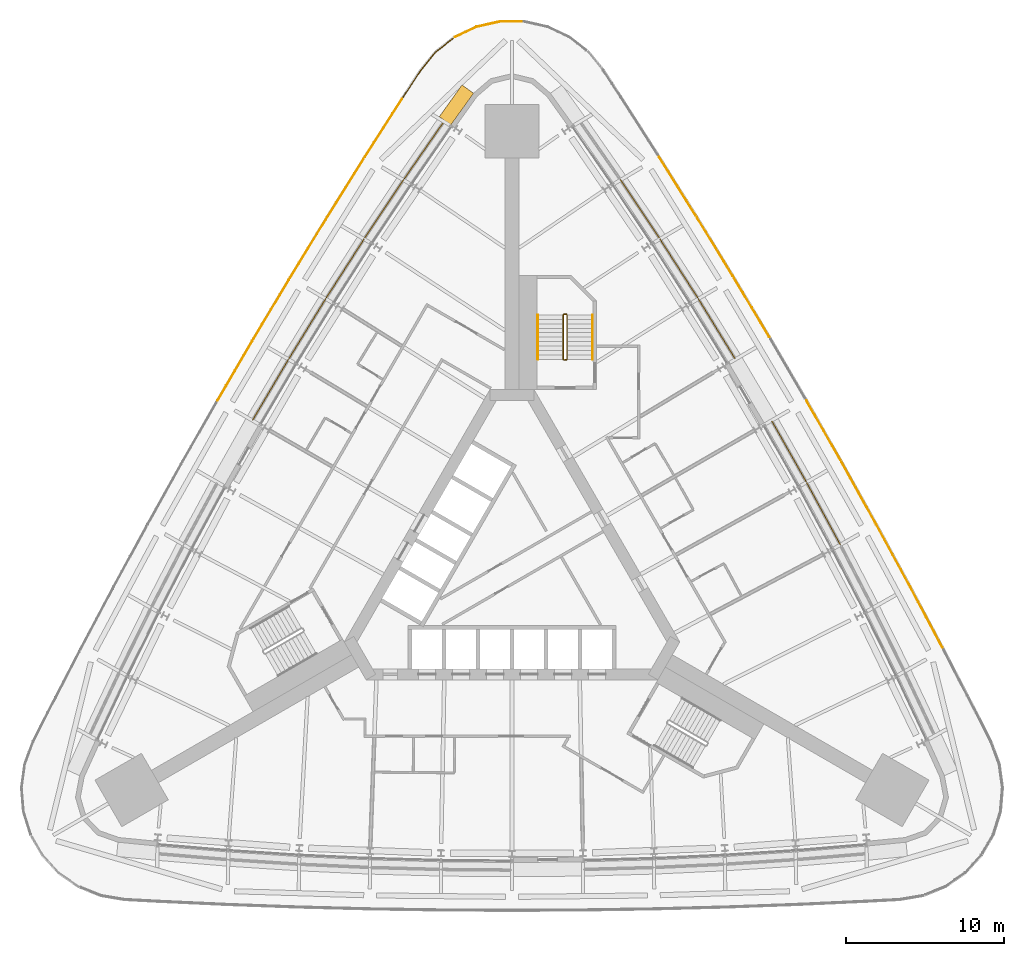
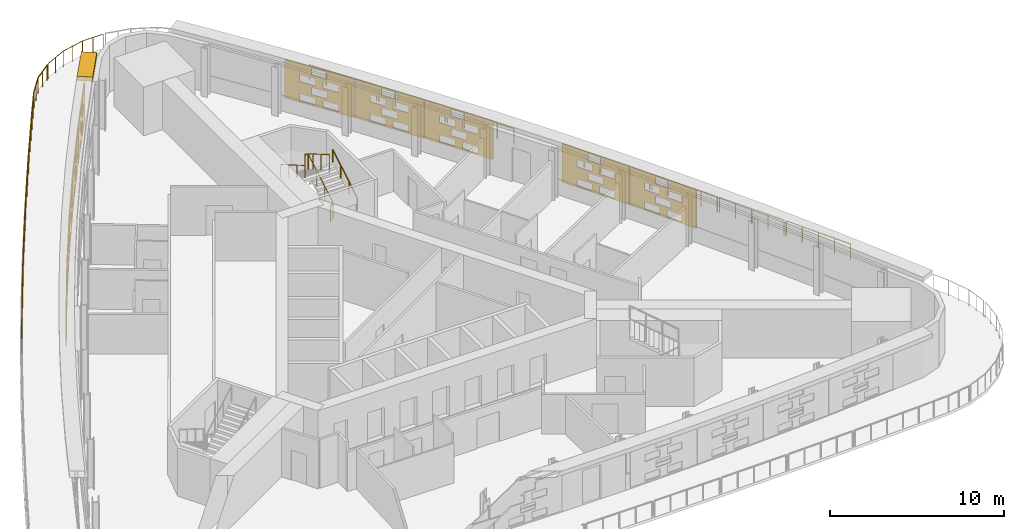
# One storey, part 13 of 14: 17 railings, 11 shading devices.
"""IFC4 building model written with IfcOpenShell, lengths in metres."""

from ifc_helpers import new_model, si_unit, direction, frame, origin, origin_2d, place, context, subcontext, project, spatial, polyline, circle, outline, extrude, material, material_profile, profile_set, type_object, element, save


model = new_model("IFC4")

# Units and contexts
model_context = context("Model", 3, precision=1e-05, world=origin(), true_north=direction((0.0, 1.0)))
body_context = subcontext(model_context, "Body", "Model", "MODEL_VIEW")
ifc_project = project(units=[si_unit("LENGTHUNIT", "METRE"), si_unit("AREAUNIT", "SQUARE_METRE"), si_unit("VOLUMEUNIT", "CUBIC_METRE"), si_unit("PLANEANGLEUNIT", "RADIAN"), si_unit("MASSUNIT", "GRAM", prefix="KILO")], contexts=[model_context])

# Site, building, storey
site_placement = place(None, origin())
site = spatial("IfcSite", under=ifc_project, at=site_placement, CompositionType="ELEMENT")
building_placement = place(site_placement, origin())
building = spatial("IfcBuilding", under=site, at=building_placement, Name="Noor Cloister Tower", CompositionType="ELEMENT")
storey_placement = place(building_placement, frame((0.0, 0.0, 24.0)))
storey = spatial("IfcBuildingStorey", under=building, at=storey_placement, Name="L05", CompositionType="ELEMENT", Elevation=24.0)

# Shading devices
ifc_material_1 = material(Name="Limestone", Category="masonry")
ifc_material_profile = material_profile(ifc_material_1, outline(polyline([(-2.22998046875, -1.35009765625), (2.22998046875, -1.35009765625), (2.22998046875, 1.35009765625), (-2.22998046875, 1.35009765625), (-2.22998046875, -1.35009765625)]), holes=[polyline([(-1.25, -1.263427734375), (-0.25, -1.263427734375), (-0.25, -0.76171875), (-1.25, -0.76171875), (-1.25, -1.263427734375)]), polyline([(0.25, -1.263427734375), (1.25, -1.263427734375), (1.25, -0.76171875), (0.25, -0.76171875), (0.25, -1.263427734375)]), polyline([(-0.5, -0.58837890625), (0.5, -0.58837890625), (0.5, -0.086669921875), (-0.5, -0.086669921875), (-0.5, -0.58837890625)]), polyline([(-1.25, 0.086669921875), (-0.25, 0.086669921875), (-0.25, 0.58837890625), (-1.25, 0.58837890625), (-1.25, 0.086669921875)]), polyline([(0.25, 0.086669921875), (1.25, 0.086669921875), (1.25, 0.58837890625), (0.25, 0.58837890625), (0.25, 0.086669921875)]), polyline([(-0.5, 0.76171875), (0.5, 0.76171875), (0.5, 1.263427734375), (-0.5, 1.263427734375), (-0.5, 0.76171875)])]), Name="Woven screen 25 percent open")
ifc_profile_set = profile_set([ifc_material_profile], Name="Limestone")
shading_device_type_1 = type_object("IfcShadingDeviceType", Name="SCREEN woven limestone 25 percent open", PredefinedType="USERDEFINED", material=ifc_profile_set)
shading_device_1_placement = place(storey_placement, frame((-5.52294921875, 26.586669921875, 1.85009765625), z_axis=(-0.821899128607, 0.56963305943, 0.0), x_axis=(-0.56963305943, -0.821899128607, 0.0)))
element("IfcShadingDevice", 1, at=shading_device_1_placement, inside=storey, type_object=shading_device_type_1, Name="SCREEN L05 1", ObjectType="SCREEN", PredefinedType="USERDEFINED", context=body_context, shape_type="SweptSolid", body=[
    extrude(outline(polyline([(-2.22998046875, -1.35009765625), (2.22998046875, -1.35009765625), (2.22998046875, 1.35009765625), (-2.22998046875, 1.35009765625), (-2.22998046875, -1.35009765625)]), holes=[polyline([(-1.25, -1.263427734375), (-0.25, -1.263427734375), (-0.25, -0.76171875), (-1.25, -0.76171875), (-1.25, -1.263427734375)]), polyline([(0.25, -1.263427734375), (1.25, -1.263427734375), (1.25, -0.76171875), (0.25, -0.76171875), (0.25, -1.263427734375)]), polyline([(-0.5, -0.58837890625), (0.5, -0.58837890625), (0.5, -0.086669921875), (-0.5, -0.086669921875), (-0.5, -0.58837890625)]), polyline([(-1.25, 0.086669921875), (-0.25, 0.086669921875), (-0.25, 0.58837890625), (-1.25, 0.58837890625), (-1.25, 0.086669921875)]), polyline([(0.25, 0.086669921875), (1.25, 0.086669921875), (1.25, 0.58837890625), (0.25, 0.58837890625), (0.25, 0.086669921875)]), polyline([(-0.5, 0.76171875), (0.5, 0.76171875), (0.5, 1.263427734375), (-0.5, 1.263427734375), (-0.5, 0.76171875)])]), origin(), (0.0, 0.0, 1.0), 0.06005859375),
])
shading_device_2_placement = place(storey_placement, frame((-8.060302734375, 22.8603515625, 1.85009765625), z_axis=(-0.832050294338, 0.554700196225, 0.0), x_axis=(-0.554700196225, -0.832050294338, 0.0)))
element("IfcShadingDevice", 2, at=shading_device_2_placement, inside=storey, type_object=shading_device_type_1, Name="SCREEN L05 2", ObjectType="SCREEN", PredefinedType="USERDEFINED", context=body_context, shape_type="SweptSolid", body=[
    extrude(outline(polyline([(-2.22998046875, -1.35009765625), (2.22998046875, -1.35009765625), (2.22998046875, 1.35009765625), (-2.22998046875, 1.35009765625), (-2.22998046875, -1.35009765625)]), holes=[polyline([(-1.25, -1.263427734375), (-0.25, -1.263427734375), (-0.25, -0.76171875), (-1.25, -0.76171875), (-1.25, -1.263427734375)]), polyline([(0.25, -1.263427734375), (1.25, -1.263427734375), (1.25, -0.76171875), (0.25, -0.76171875), (0.25, -1.263427734375)]), polyline([(-0.5, -0.58837890625), (0.5, -0.58837890625), (0.5, -0.086669921875), (-0.5, -0.086669921875), (-0.5, -0.58837890625)]), polyline([(-1.25, 0.086669921875), (-0.25, 0.086669921875), (-0.25, 0.58837890625), (-1.25, 0.58837890625), (-1.25, 0.086669921875)]), polyline([(0.25, 0.086669921875), (1.25, 0.086669921875), (1.25, 0.58837890625), (0.25, 0.58837890625), (0.25, 0.086669921875)]), polyline([(-0.5, 0.76171875), (0.5, 0.76171875), (0.5, 1.263427734375), (-0.5, 1.263427734375), (-0.5, 0.76171875)])]), origin(), (0.0, 0.0, 1.0), 0.059814453125),
])
for number, where, z_axis, x_axis, name in (
    (3, (-10.528076171875, 19.087646484375, 1.85009765625), (-0.841310503427, 0.540552159207, 0.0), (-0.540552159207, -0.841310503427, 0.0), "SCREEN L05 3"),
    (4, (-12.92529296875, 15.269775390625, 1.85009765625), (-0.852075986308, 0.523418105875, 0.0), (-0.523418105875, -0.852075986308, 0.0), "SCREEN L05 4"),
    (5, (-15.25146484375, 11.408203125, 1.85009765625), (-0.86141148773, 0.507907716822, 0.0), (-0.507907716822, -0.86141148773, 0.0), "SCREEN L05 5"),
    (6, (19.686767578125, 3.558837890625, 1.85009765625), (0.879291966537, 0.476283148541, 0.0), (-0.476283148541, 0.879291966537, 0.0), "SCREEN L05 4"),
    (7, (17.505615234375, 7.504150390625, 1.85009765625), (0.87048706901, 0.492191286683, 0.0), (-0.492191286683, 0.87048706901, 0.0), "SCREEN L05 5"),
    (8, (12.92529296875, 15.269775390625, 1.85009765625), (0.852075986308, 0.523418105875, 0.0), (-0.523418105875, 0.852075986308, 0.0), "SCREEN L05 1"),
    (9, (10.528076171875, 19.087646484375, 1.85009765625), (0.841310503427, 0.540552159207, 0.0), (-0.540552159207, 0.841310503427, 0.0), "SCREEN L05 2"),
):
    element("IfcShadingDevice", number, at=place(storey_placement, frame(where, z_axis=z_axis, x_axis=x_axis)), inside=storey, type_object=shading_device_type_1, Name=name, ObjectType="SCREEN", PredefinedType="USERDEFINED", context=body_context, shape_type="SweptSolid", body=[
        extrude(outline(polyline([(-2.22998046875, -1.35009765625), (2.22998046875, -1.35009765625), (2.22998046875, 1.35009765625), (-2.22998046875, 1.35009765625), (-2.22998046875, -1.35009765625)]), holes=[polyline([(-1.25, -1.263427734375), (-0.25, -1.263427734375), (-0.25, -0.76171875), (-1.25, -0.76171875), (-1.25, -1.263427734375)]), polyline([(0.25, -1.263427734375), (1.25, -1.263427734375), (1.25, -0.76171875), (0.25, -0.76171875), (0.25, -1.263427734375)]), polyline([(-0.5, -0.58837890625), (0.5, -0.58837890625), (0.5, -0.086669921875), (-0.5, -0.086669921875), (-0.5, -0.58837890625)]), polyline([(-1.25, 0.086669921875), (-0.25, 0.086669921875), (-0.25, 0.58837890625), (-1.25, 0.58837890625), (-1.25, 0.086669921875)]), polyline([(0.25, 0.086669921875), (1.25, 0.086669921875), (1.25, 0.58837890625), (0.25, 0.58837890625), (0.25, 0.086669921875)]), polyline([(-0.5, 0.76171875), (0.5, 0.76171875), (0.5, 1.263427734375), (-0.5, 1.263427734375), (-0.5, 0.76171875)])]), origin(), (0.0, 0.0, 1.0), 0.06005859375),
    ])
shading_device_3_placement = place(storey_placement, frame((8.060302734375, 22.8603515625, 1.85009765625), z_axis=(0.832050294338, 0.554700196225, 0.0), x_axis=(-0.554700196225, 0.832050294338, 0.0)))
element("IfcShadingDevice", 10, at=shading_device_3_placement, inside=storey, type_object=shading_device_type_1, Name="SCREEN L05 3", ObjectType="SCREEN", PredefinedType="USERDEFINED", context=body_context, shape_type="SweptSolid", body=[
    extrude(outline(polyline([(-2.22998046875, -1.35009765625), (2.22998046875, -1.35009765625), (2.22998046875, 1.35009765625), (-2.22998046875, 1.35009765625), (-2.22998046875, -1.35009765625)]), holes=[polyline([(-1.25, -1.263427734375), (-0.25, -1.263427734375), (-0.25, -0.76171875), (-1.25, -0.76171875), (-1.25, -1.263427734375)]), polyline([(0.25, -1.263427734375), (1.25, -1.263427734375), (1.25, -0.76171875), (0.25, -0.76171875), (0.25, -1.263427734375)]), polyline([(-0.5, -0.58837890625), (0.5, -0.58837890625), (0.5, -0.086669921875), (-0.5, -0.086669921875), (-0.5, -0.58837890625)]), polyline([(-1.25, 0.086669921875), (-0.25, 0.086669921875), (-0.25, 0.58837890625), (-1.25, 0.58837890625), (-1.25, 0.086669921875)]), polyline([(0.25, 0.086669921875), (1.25, 0.086669921875), (1.25, 0.58837890625), (0.25, 0.58837890625), (0.25, 0.086669921875)]), polyline([(-0.5, 0.76171875), (0.5, 0.76171875), (0.5, 1.263427734375), (-0.5, 1.263427734375), (-0.5, 0.76171875)])]), origin(), (0.0, 0.0, 1.0), 0.059814453125),
])
ifc_material_2 = material(Name="Limestone", Category="masonry")
shading_device_type_2 = type_object("IfcShadingDeviceType", Name="SUNSHADE limestone band 900", PredefinedType="USERDEFINED", material=ifc_material_2)
shading_device_4_placement = place(storey_placement, frame((0.0, 0.0, 3.300048828125)))
element("IfcShadingDevice", 11, at=shading_device_4_placement, inside=storey, type_object=shading_device_type_2, Name="SUNSHADE L05 4", ObjectType="SUNSHADE", PredefinedType="USERDEFINED", context=body_context, shape_type="SweptSolid", body=[
    extrude(outline(polyline([(-3.161865234375, 30.712158203125), (-4.6015625, 28.70166015625), (-3.869873046875, 28.177734375), (-2.43017578125, 30.188232421875), (-3.161865234375, 30.712158203125)])), origin(), (0.0, 0.0, 1.0), 0.300048828125),
])

# Railings
ifc_material_3 = material(Name="Stainless steel", Category="steel")
railing_type_1 = type_object("IfcRailingType", Name="Stair guard 1100", PredefinedType="GUARDRAIL", material=ifc_material_3)
railing_1_placement = place(storey_placement, frame((3.435546875, 13.306396484375, 0.0)))
element("IfcRailing", 12, at=railing_1_placement, inside=storey, type_object=railing_type_1, Name="Stair guard ST1 L05", PredefinedType="GUARDRAIL", context=body_context, shape_type="SweptSolid", body=[
    extrude(circle(Radius=0.02392578125, at=origin_2d()), frame((0.0, 0.0, 1.076171875), z_axis=(-1.0, 0.0, 0.0), x_axis=(0.0, -1.0, 0.0)), (0.0, 0.0, 1.0), 0.14990234375),
    extrude(circle(Radius=0.02392578125, at=origin_2d()), frame((-0.14990234375, 0.0, 1.076171875), z_axis=(0.759870394187, 0.190199549216, 0.621627795), x_axis=(-0.242814311512, 0.970072785993, 0.0)), (0.0, 0.0, 1.0), 0.26318359375),
    extrude(circle(Radius=0.02392578125, at=origin_2d()), frame((0.050048828125, 0.050048828125, 1.23974609375), z_axis=(0.0, 0.863360870873, 0.504586966384), x_axis=(-1.0, 0.0, 0.0)), (0.0, 0.0, 1.0), 3.2431640625),
    extrude(circle(Radius=0.02392578125, at=origin_2d()), frame((0.050048828125, 2.85009765625, 2.8759765625), z_axis=(-0.708833529934, 0.705375805398, 0.0), x_axis=(-0.705375805398, -0.708833529934, 0.0)), (0.0, 0.0, 1.0), 0.070556640625),
    extrude(circle(Radius=0.02392578125, at=origin_2d()), frame((0.0, 2.89990234375, 2.8759765625), z_axis=(-1.0, 0.0, 0.0), x_axis=(0.0, -1.0, 0.0)), (0.0, 0.0, 1.0), 0.14990234375),
    extrude(circle(Radius=0.02392578125, at=origin_2d()), frame((-0.14990234375, 2.89990234375, 2.8759765625), z_axis=(-0.280916556609, -0.279546231943, 0.91811752648), x_axis=(0.705375805398, -0.708833529934, 0.0)), (0.0, 0.0, 1.0), 0.17822265625),
    extrude(circle(Radius=0.02392578125, at=origin_2d()), frame((-0.199951171875, 2.85009765625, 3.03955078125), z_axis=(0.0, -0.863360870873, 0.504586966384), x_axis=(1.0, 0.0, 0.0)), (0.0, 0.0, 1.0), 3.2431640625),
    extrude(circle(Radius=0.02099609375, at=origin_2d()), origin(), (0.0, 0.0, 1.0), 1.052001953125),
    extrude(circle(Radius=0.02099609375, at=origin_2d()), frame((-0.14990234375, 0.0, 0.0)), (0.0, 0.0, 1.0), 1.052001953125),
    extrude(circle(Radius=0.02099609375, at=origin_2d()), frame((0.050048828125, 0.050048828125, 0.16357421875)), (0.0, 0.0, 1.0), 1.052001953125),
    extrude(circle(Radius=0.02099609375, at=origin_2d()), frame((0.050048828125, 0.9833984375, 0.708984375)), (0.0, 0.0, 1.0), 1.052001953125),
    extrude(circle(Radius=0.02099609375, at=origin_2d()), frame((0.050048828125, 1.916748046875, 1.254638671875)), (0.0, 0.0, 1.0), 1.052001953125),
    extrude(circle(Radius=0.02099609375, at=origin_2d()), frame((0.050048828125, 2.85009765625, 1.800048828125)), (0.0, 0.0, 1.0), 1.052001953125),
    extrude(circle(Radius=0.02099609375, at=origin_2d()), frame((0.0, 2.89990234375, 1.800048828125)), (0.0, 0.0, 1.0), 1.052001953125),
    extrude(circle(Radius=0.02099609375, at=origin_2d()), frame((-0.14990234375, 2.89990234375, 1.800048828125)), (0.0, 0.0, 1.0), 1.052001953125),
    extrude(circle(Radius=0.02099609375, at=origin_2d()), frame((-0.199951171875, 2.85009765625, 1.963623046875)), (0.0, 0.0, 1.0), 1.052001953125),
    extrude(circle(Radius=0.02099609375, at=origin_2d()), frame((-0.199951171875, 1.916748046875, 2.509033203125)), (0.0, 0.0, 1.0), 1.052001953125),
    extrude(circle(Radius=0.02099609375, at=origin_2d()), frame((-0.199951171875, 0.9833984375, 3.0546875)), (0.0, 0.0, 1.0), 1.052001953125),
    extrude(circle(Radius=0.02099609375, at=origin_2d()), frame((-0.199951171875, 0.050048828125, 3.60009765625)), (0.0, 0.0, 1.0), 1.052001953125),
])
ifc_material_4 = material(Name="Stainless steel", Category="steel")
railing_type_2 = type_object("IfcRailingType", Name="Stair handrail 900", PredefinedType="HANDRAIL", material=ifc_material_4)
railing_2_placement = place(storey_placement, frame((5.085693359375, 13.3564453125, 0.16357421875)))
element("IfcRailing", 13, at=railing_2_placement, inside=storey, type_object=railing_type_2, Name="Stair handrail ST1 L05 1", PredefinedType="HANDRAIL", context=body_context, shape_type="SweptSolid", body=[
    extrude(circle(Radius=0.02392578125, at=origin_2d()), frame((0.0, 0.0, 0.8759765625), z_axis=(0.0, 0.863360870873, 0.504586966384), x_axis=(-1.0, 0.0, 0.0)), (0.0, 0.0, 1.0), 3.2431640625),
    extrude(circle(Radius=0.02099609375, at=origin_2d()), origin(), (0.0, 0.0, 1.0), 0.851806640625),
    extrude(circle(Radius=0.02099609375, at=origin_2d()), frame((0.0, 0.933349609375, 0.54541015625)), (0.0, 0.0, 1.0), 0.851806640625),
    extrude(circle(Radius=0.02099609375, at=origin_2d()), frame((0.0, 1.86669921875, 1.091064453125)), (0.0, 0.0, 1.0), 0.851806640625),
    extrude(circle(Radius=0.02099609375, at=origin_2d()), frame((0.0, 2.800048828125, 1.636474609375)), (0.0, 0.0, 1.0), 0.851806640625),
])
railing_3_placement = place(storey_placement, frame((1.6357421875, 16.156494140625, 1.963623046875)))
element("IfcRailing", 14, at=railing_3_placement, inside=storey, type_object=railing_type_2, Name="Stair handrail ST1 L05 2", PredefinedType="HANDRAIL", context=body_context, shape_type="SweptSolid", body=[
    extrude(circle(Radius=0.02392578125, at=origin_2d()), frame((0.0, 0.0, 0.8759765625), z_axis=(0.0, -0.863360870873, 0.504586966384), x_axis=(1.0, 0.0, 0.0)), (0.0, 0.0, 1.0), 3.2431640625),
    extrude(circle(Radius=0.02099609375, at=origin_2d()), origin(), (0.0, 0.0, 1.0), 0.851806640625),
    extrude(circle(Radius=0.02099609375, at=origin_2d()), frame((0.0, -0.933349609375, 0.54541015625)), (0.0, 0.0, 1.0), 0.851806640625),
    extrude(circle(Radius=0.02099609375, at=origin_2d()), frame((0.0, -1.86669921875, 1.091064453125)), (0.0, 0.0, 1.0), 0.851806640625),
    extrude(circle(Radius=0.02099609375, at=origin_2d()), frame((0.0, -2.800048828125, 1.636474609375)), (0.0, 0.0, 1.0), 0.851806640625),
])
ifc_material_5 = material(Name="Stainless steel grade 316", Category="steel")
railing_type_3 = type_object("IfcRailingType", Name="Terrace guard 1100", PredefinedType="GUARDRAIL", material=ifc_material_5)
railing_4_placement = place(storey_placement, frame((9.310302734375, 26.1494140625, 0.0)))
element("IfcRailing", 15, at=railing_4_placement, inside=storey, type_object=railing_type_3, Name="Podium terrace guard 2", PredefinedType="GUARDRAIL", context=body_context, shape_type="SweptSolid", body=[
    extrude(circle(Radius=0.02392578125, at=origin_2d()), frame((0.0, 0.0, 1.076171875), z_axis=(0.530821176419, -0.847483851566, 0.0), x_axis=(0.847483851566, 0.530821176419, 0.0)), (0.0, 0.0, 1.0), 4.34912109375),
    extrude(circle(Radius=0.02099609375, at=origin_2d()), origin(), (0.0, 0.0, 1.0), 1.052001953125),
    extrude(circle(Radius=0.02099609375, at=origin_2d()), frame((0.5771484375, -0.92138671875, 0.0)), (0.0, 0.0, 1.0), 1.052001953125),
    extrude(circle(Radius=0.02099609375, at=origin_2d()), frame((1.154296875, -1.8427734375, 0.0)), (0.0, 0.0, 1.0), 1.052001953125),
    extrude(circle(Radius=0.02099609375, at=origin_2d()), frame((1.7314453125, -2.764404296875, 0.0)), (0.0, 0.0, 1.0), 1.052001953125),
    extrude(circle(Radius=0.02099609375, at=origin_2d()), frame((2.30859375, -3.685791015625, 0.0)), (0.0, 0.0, 1.0), 1.052001953125),
])
railing_5_placement = place(storey_placement, frame((11.698486328125, 22.33642578125, 0.0)))
element("IfcRailing", 16, at=railing_5_placement, inside=storey, type_object=railing_type_3, Name="Podium terrace guard 3", PredefinedType="GUARDRAIL", context=body_context, shape_type="SweptSolid", body=[
    extrude(circle(Radius=0.02392578125, at=origin_2d()), frame((0.0, 0.0, 1.076171875), z_axis=(0.522038022105, -0.8529222142, 0.0), x_axis=(0.8529222142, 0.522038022105, 0.0)), (0.0, 0.0, 1.0), 4.348876953125),
    extrude(circle(Radius=0.02099609375, at=origin_2d()), origin(), (0.0, 0.0, 1.0), 1.052001953125),
    extrude(circle(Radius=0.02099609375, at=origin_2d()), frame((0.567626953125, -0.92724609375, 0.0)), (0.0, 0.0, 1.0), 1.052001953125),
    extrude(circle(Radius=0.02099609375, at=origin_2d()), frame((1.13525390625, -1.8544921875, 0.0)), (0.0, 0.0, 1.0), 1.052001953125),
    extrude(circle(Radius=0.02099609375, at=origin_2d()), frame((1.70263671875, -2.781982421875, 0.0)), (0.0, 0.0, 1.0), 1.052001953125),
    extrude(circle(Radius=0.02099609375, at=origin_2d()), frame((2.270263671875, -3.709228515625, 0.0)), (0.0, 0.0, 1.0), 1.052001953125),
])
railing_6_placement = place(storey_placement, frame((14.047119140625, 18.499267578125, 0.0)))
element("IfcRailing", 17, at=railing_6_placement, inside=storey, type_object=railing_type_3, Name="Podium terrace guard 4", PredefinedType="GUARDRAIL", context=body_context, shape_type="SweptSolid", body=[
    extrude(circle(Radius=0.02392578125, at=origin_2d()), frame((0.0, 0.0, 1.076171875), z_axis=(0.513289883919, -0.858215296453, 0.0), x_axis=(0.858215296453, 0.513289883919, 0.0)), (0.0, 0.0, 1.0), 4.348876953125),
    extrude(circle(Radius=0.02099609375, at=origin_2d()), origin(), (0.0, 0.0, 1.0), 1.052001953125),
    extrude(circle(Radius=0.02099609375, at=origin_2d()), frame((0.55810546875, -0.93310546875, 0.0)), (0.0, 0.0, 1.0), 1.052001953125),
    extrude(circle(Radius=0.02099609375, at=origin_2d()), frame((1.1162109375, -1.8662109375, 0.0)), (0.0, 0.0, 1.0), 1.052001953125),
    extrude(circle(Radius=0.02099609375, at=origin_2d()), frame((1.674072265625, -2.799072265625, 0.0)), (0.0, 0.0, 1.0), 1.052001953125),
    extrude(circle(Radius=0.02099609375, at=origin_2d()), frame((2.232177734375, -3.732177734375, 0.0)), (0.0, 0.0, 1.0), 1.052001953125),
])
railing_7_placement = place(storey_placement, frame((18.625732421875, 10.753662109375, 0.0)))
element("IfcRailing", 18, at=railing_7_placement, inside=storey, type_object=railing_type_3, Name="Podium terrace guard 6", PredefinedType="GUARDRAIL", context=body_context, shape_type="SweptSolid", body=[
    extrude(circle(Radius=0.02392578125, at=origin_2d()), frame((0.0, 0.0, 1.076171875), z_axis=(0.495582642591, -0.8685607891, 0.0), x_axis=(0.8685607891, 0.495582642591, 0.0)), (0.0, 0.0, 1.0), 4.348876953125),
    extrude(circle(Radius=0.02099609375, at=origin_2d()), origin(), (0.0, 0.0, 1.0), 1.052001953125),
    extrude(circle(Radius=0.02099609375, at=origin_2d()), frame((0.538818359375, -0.9443359375, 0.0)), (0.0, 0.0, 1.0), 1.052001953125),
    extrude(circle(Radius=0.02099609375, at=origin_2d()), frame((1.07763671875, -1.888671875, 0.0)), (0.0, 0.0, 1.0), 1.052001953125),
    extrude(circle(Radius=0.02099609375, at=origin_2d()), frame((1.616455078125, -2.8330078125, 0.0)), (0.0, 0.0, 1.0), 1.052001953125),
    extrude(circle(Radius=0.02099609375, at=origin_2d()), frame((2.1552734375, -3.77734375, 0.0)), (0.0, 0.0, 1.0), 1.052001953125),
])
railing_8_placement = place(storey_placement, frame((20.855224609375, 6.845947265625, 0.0)))
element("IfcRailing", 19, at=railing_8_placement, inside=storey, type_object=railing_type_3, Name="Podium terrace guard 7", PredefinedType="GUARDRAIL", context=body_context, shape_type="SweptSolid", body=[
    extrude(circle(Radius=0.02392578125, at=origin_2d()), frame((0.0, 0.0, 1.076171875), z_axis=(0.486605458783, -0.873621844669, 0.0), x_axis=(0.873621844669, 0.486605458783, 0.0)), (0.0, 0.0, 1.0), 4.348876953125),
    extrude(circle(Radius=0.02099609375, at=origin_2d()), origin(), (0.0, 0.0, 1.0), 1.052001953125),
    extrude(circle(Radius=0.02099609375, at=origin_2d()), frame((0.529052734375, -0.94970703125, 0.0)), (0.0, 0.0, 1.0), 1.052001953125),
    extrude(circle(Radius=0.02099609375, at=origin_2d()), frame((1.05810546875, -1.899658203125, 0.0)), (0.0, 0.0, 1.0), 1.052001953125),
    extrude(circle(Radius=0.02099609375, at=origin_2d()), frame((1.587158203125, -2.849609375, 0.0)), (0.0, 0.0, 1.0), 1.052001953125),
    extrude(circle(Radius=0.02099609375, at=origin_2d()), frame((2.1162109375, -3.79931640625, 0.0)), (0.0, 0.0, 1.0), 1.052001953125),
])
railing_9_placement = place(storey_placement, frame((23.04443359375, 2.91552734375, 0.0)))
element("IfcRailing", 20, at=railing_9_placement, inside=storey, type_object=railing_type_3, Name="Podium terrace guard 8", PredefinedType="GUARDRAIL", context=body_context, shape_type="SweptSolid", body=[
    extrude(circle(Radius=0.02392578125, at=origin_2d()), frame((0.0, 0.0, 1.076171875), z_axis=(0.477624487187, -0.878564083741, 0.0), x_axis=(0.878564083741, 0.477624487187, 0.0)), (0.0, 0.0, 1.0), 4.348876953125),
    extrude(circle(Radius=0.02099609375, at=origin_2d()), origin(), (0.0, 0.0, 1.0), 1.052001953125),
    extrude(circle(Radius=0.02099609375, at=origin_2d()), frame((0.519287109375, -0.955078125, 0.0)), (0.0, 0.0, 1.0), 1.052001953125),
    extrude(circle(Radius=0.02099609375, at=origin_2d()), frame((1.03857421875, -1.910400390625, 0.0)), (0.0, 0.0, 1.0), 1.052001953125),
    extrude(circle(Radius=0.02099609375, at=origin_2d()), frame((1.557861328125, -2.86572265625, 0.0)), (0.0, 0.0, 1.0), 1.052001953125),
    extrude(circle(Radius=0.02099609375, at=origin_2d()), frame((2.0771484375, -3.82080078125, 0.0)), (0.0, 0.0, 1.0), 1.052001953125),
])
railing_10_placement = place(storey_placement, frame((25.193115234375, -1.037109375, 0.0)))
element("IfcRailing", 21, at=railing_10_placement, inside=storey, type_object=railing_type_3, Name="Podium terrace guard 9", PredefinedType="GUARDRAIL", context=body_context, shape_type="SweptSolid", body=[
    extrude(circle(Radius=0.02392578125, at=origin_2d()), frame((0.0, 0.0, 1.076171875), z_axis=(0.46857366186, -0.883424429938, 0.0), x_axis=(0.883424429938, 0.46857366186, 0.0)), (0.0, 0.0, 1.0), 4.34912109375),
    extrude(circle(Radius=0.02099609375, at=origin_2d()), origin(), (0.0, 0.0, 1.0), 1.052001953125),
    extrude(circle(Radius=0.02099609375, at=origin_2d()), frame((0.509521484375, -0.96044921875, 0.0)), (0.0, 0.0, 1.0), 1.052001953125),
    extrude(circle(Radius=0.02099609375, at=origin_2d()), frame((1.01904296875, -1.9208984375, 0.0)), (0.0, 0.0, 1.0), 1.052001953125),
    extrude(circle(Radius=0.02099609375, at=origin_2d()), frame((1.5283203125, -2.881591796875, 0.0)), (0.0, 0.0, 1.0), 1.052001953125),
    extrude(circle(Radius=0.02099609375, at=origin_2d()), frame((2.037841796875, -3.842041015625, 0.0)), (0.0, 0.0, 1.0), 1.052001953125),
])
railing_11_placement = place(storey_placement, frame((-18.625732421875, 10.753662109375, 0.0)))
element("IfcRailing", 22, at=railing_11_placement, inside=storey, type_object=railing_type_3, Name="Podium terrace guard 32", PredefinedType="GUARDRAIL", context=body_context, shape_type="SweptSolid", body=[
    extrude(circle(Radius=0.02392578125, at=origin_2d()), frame((0.0, 0.0, 1.076171875), z_axis=(0.504404972737, 0.863467210425, 0.0), x_axis=(-0.863467210425, 0.504404972737, 0.0)), (0.0, 0.0, 1.0), 4.348876953125),
    extrude(circle(Radius=0.02099609375, at=origin_2d()), origin(), (0.0, 0.0, 1.0), 1.052001953125),
    extrude(circle(Radius=0.02099609375, at=origin_2d()), frame((0.54833984375, 0.938720703125, 0.0)), (0.0, 0.0, 1.0), 1.052001953125),
    extrude(circle(Radius=0.02099609375, at=origin_2d()), frame((1.0966796875, 1.87744140625, 0.0)), (0.0, 0.0, 1.0), 1.052001953125),
    extrude(circle(Radius=0.02099609375, at=origin_2d()), frame((1.645263671875, 2.81640625, 0.0)), (0.0, 0.0, 1.0), 1.052001953125),
    extrude(circle(Radius=0.02099609375, at=origin_2d()), frame((2.193603515625, 3.755126953125, 0.0)), (0.0, 0.0, 1.0), 1.052001953125),
])
railing_12_placement = place(storey_placement, frame((-16.3564453125, 14.63818359375, 0.0)))
element("IfcRailing", 23, at=railing_12_placement, inside=storey, type_object=railing_type_3, Name="Podium terrace guard 33", PredefinedType="GUARDRAIL", context=body_context, shape_type="SweptSolid", body=[
    extrude(circle(Radius=0.02392578125, at=origin_2d()), frame((0.0, 0.0, 1.076171875), z_axis=(0.513265154395, 0.858230086448, 0.0), x_axis=(-0.858230086448, 0.513265154395, 0.0)), (0.0, 0.0, 1.0), 4.348876953125),
    extrude(circle(Radius=0.02099609375, at=origin_2d()), origin(), (0.0, 0.0, 1.0), 1.052001953125),
    extrude(circle(Radius=0.02099609375, at=origin_2d()), frame((0.55810546875, 0.93310546875, 0.0)), (0.0, 0.0, 1.0), 1.052001953125),
    extrude(circle(Radius=0.02099609375, at=origin_2d()), frame((1.1162109375, 1.8662109375, 0.0)), (0.0, 0.0, 1.0), 1.052001953125),
    extrude(circle(Radius=0.02099609375, at=origin_2d()), frame((1.674072265625, 2.79931640625, 0.0)), (0.0, 0.0, 1.0), 1.052001953125),
    extrude(circle(Radius=0.02099609375, at=origin_2d()), frame((2.232177734375, 3.732421875, 0.0)), (0.0, 0.0, 1.0), 1.052001953125),
])
railing_13_placement = place(storey_placement, frame((-14.047119140625, 18.499267578125, 0.0)))
element("IfcRailing", 24, at=railing_13_placement, inside=storey, type_object=railing_type_3, Name="Podium terrace guard 34", PredefinedType="GUARDRAIL", context=body_context, shape_type="SweptSolid", body=[
    extrude(circle(Radius=0.02392578125, at=origin_2d()), frame((0.0, 0.0, 1.076171875), z_axis=(0.522078860217, 0.852897217556, 0.0), x_axis=(-0.852897217556, 0.522078860217, 0.0)), (0.0, 0.0, 1.0), 4.348876953125),
    extrude(circle(Radius=0.02099609375, at=origin_2d()), origin(), (0.0, 0.0, 1.0), 1.052001953125),
    extrude(circle(Radius=0.02099609375, at=origin_2d()), frame((0.567626953125, 0.92724609375, 0.0)), (0.0, 0.0, 1.0), 1.052001953125),
    extrude(circle(Radius=0.02099609375, at=origin_2d()), frame((1.13525390625, 1.8544921875, 0.0)), (0.0, 0.0, 1.0), 1.052001953125),
    extrude(circle(Radius=0.02099609375, at=origin_2d()), frame((1.702880859375, 2.781982421875, 0.0)), (0.0, 0.0, 1.0), 1.052001953125),
    extrude(circle(Radius=0.02099609375, at=origin_2d()), frame((2.2705078125, 3.709228515625, 0.0)), (0.0, 0.0, 1.0), 1.052001953125),
])
railing_14_placement = place(storey_placement, frame((-11.698486328125, 22.33642578125, 0.0)))
element("IfcRailing", 25, at=railing_14_placement, inside=storey, type_object=railing_type_3, Name="Podium terrace guard 35", PredefinedType="GUARDRAIL", context=body_context, shape_type="SweptSolid", body=[
    extrude(circle(Radius=0.02392578125, at=origin_2d()), frame((0.0, 0.0, 1.076171875), z_axis=(0.530821176419, 0.847483851566, 0.0), x_axis=(-0.847483851566, 0.530821176419, 0.0)), (0.0, 0.0, 1.0), 4.34912109375),
    extrude(circle(Radius=0.02099609375, at=origin_2d()), origin(), (0.0, 0.0, 1.0), 1.052001953125),
    extrude(circle(Radius=0.02099609375, at=origin_2d()), frame((0.5771484375, 0.92138671875, 0.0)), (0.0, 0.0, 1.0), 1.052001953125),
    extrude(circle(Radius=0.02099609375, at=origin_2d()), frame((1.154296875, 1.8427734375, 0.0)), (0.0, 0.0, 1.0), 1.052001953125),
    extrude(circle(Radius=0.02099609375, at=origin_2d()), frame((1.7314453125, 2.764404296875, 0.0)), (0.0, 0.0, 1.0), 1.052001953125),
    extrude(circle(Radius=0.02099609375, at=origin_2d()), frame((2.30859375, 3.685791015625, 0.0)), (0.0, 0.0, 1.0), 1.052001953125),
])
railing_15_placement = place(storey_placement, frame((-9.310302734375, 26.1494140625, 0.0)))
element("IfcRailing", 26, at=railing_15_placement, inside=storey, type_object=railing_type_3, Name="Podium terrace guard 36", PredefinedType="GUARDRAIL", context=body_context, shape_type="SweptSolid", body=[
    extrude(circle(Radius=0.02392578125, at=origin_2d()), frame((0.0, 0.0, 1.076171875), z_axis=(0.539477364415, 0.8420001029, 0.0), x_axis=(-0.8420001029, 0.539477364415, 0.0)), (0.0, 0.0, 1.0), 4.34912109375),
    extrude(circle(Radius=0.02099609375, at=origin_2d()), origin(), (0.0, 0.0, 1.0), 1.052001953125),
    extrude(circle(Radius=0.02099609375, at=origin_2d()), frame((0.58642578125, 0.91552734375, 0.0)), (0.0, 0.0, 1.0), 1.052001953125),
    extrude(circle(Radius=0.02099609375, at=origin_2d()), frame((1.173095703125, 1.8310546875, 0.0)), (0.0, 0.0, 1.0), 1.052001953125),
    extrude(circle(Radius=0.02099609375, at=origin_2d()), frame((1.759765625, 2.746337890625, 0.0)), (0.0, 0.0, 1.0), 1.052001953125),
    extrude(circle(Radius=0.02099609375, at=origin_2d()), frame((2.34619140625, 3.661865234375, 0.0)), (0.0, 0.0, 1.0), 1.052001953125),
])
railing_16_placement = place(storey_placement, frame((-6.88330078125, 29.9375, 0.0)))
element("IfcRailing", 27, at=railing_16_placement, inside=storey, type_object=railing_type_3, Name="Podium terrace guard 37", PredefinedType="GUARDRAIL", context=body_context, shape_type="SweptSolid", body=[
    extrude(circle(Radius=0.02392578125, at=origin_2d()), frame((0.0, 0.0, 1.076171875), z_axis=(0.545698717989, 0.837981449189, 0.0), x_axis=(-0.837981449189, 0.545698717989, 0.0)), (0.0, 0.0, 1.0), 2.02880859375),
    extrude(circle(Radius=0.02392578125, at=origin_2d()), frame((1.107177734375, 1.7001953125, 1.076171875), z_axis=(0.636342389356, 0.771406743235, 0.0), x_axis=(-0.771406743235, 0.636342389356, 0.0)), (0.0, 0.0, 1.0), 1.52197265625),
    extrude(circle(Radius=0.02392578125, at=origin_2d()), frame((2.07568359375, 2.874267578125, 1.076171875), z_axis=(0.789506081687, 0.613742736804, 0.0), x_axis=(-0.613742736804, 0.789506081687, 0.0)), (0.0, 0.0, 1.0), 1.36669921875),
    extrude(circle(Radius=0.02099609375, at=origin_2d()), origin(), (0.0, 0.0, 1.0), 1.052001953125),
    extrude(circle(Radius=0.02099609375, at=origin_2d()), frame((0.5537109375, 0.85009765625, 0.0)), (0.0, 0.0, 1.0), 1.052001953125),
    extrude(circle(Radius=0.02099609375, at=origin_2d()), frame((1.107177734375, 1.7001953125, 0.0)), (0.0, 0.0, 1.0), 1.052001953125),
    extrude(circle(Radius=0.02099609375, at=origin_2d()), frame((1.59130859375, 2.287109375, 0.0)), (0.0, 0.0, 1.0), 1.052001953125),
    extrude(circle(Radius=0.02099609375, at=origin_2d()), frame((2.07568359375, 2.874267578125, 0.0)), (0.0, 0.0, 1.0), 1.052001953125),
    extrude(circle(Radius=0.02099609375, at=origin_2d()), frame((2.615234375, 3.293701171875, 0.0)), (0.0, 0.0, 1.0), 1.052001953125),
    extrude(circle(Radius=0.02099609375, at=origin_2d()), frame((3.15478515625, 3.713134765625, 0.0)), (0.0, 0.0, 1.0), 1.052001953125),
])
railing_17_placement = place(storey_placement, frame((-3.610107421875, 33.74267578125, 0.0)))
element("IfcRailing", 28, at=railing_17_placement, inside=storey, type_object=railing_type_3, Name="Podium terrace guard 38", PredefinedType="GUARDRAIL", context=body_context, shape_type="SweptSolid", body=[
    extrude(circle(Radius=0.02392578125, at=origin_2d()), frame((0.0, 0.0, 1.076171875), z_axis=(0.904522982, 0.426424876191, 0.0), x_axis=(-0.426424876191, 0.904522982, 0.0)), (0.0, 0.0, 1.0), 1.5166015625),
    extrude(circle(Radius=0.02392578125, at=origin_2d()), frame((1.371826171875, 0.646728515625, 1.076171875), z_axis=(0.975848774581, 0.218447177022, 0.0), x_axis=(-0.218447177022, 0.975848774581, 0.0)), (0.0, 0.0, 1.0), 1.5166015625),
    extrude(circle(Radius=0.02392578125, at=origin_2d()), frame((2.851806640625, 0.97802734375, 1.076171875), z_axis=(1.0, 0.0, 0.0), x_axis=(0.0, 1.0, 0.0)), (0.0, 0.0, 1.0), 1.36669921875),
    extrude(circle(Radius=0.02099609375, at=origin_2d()), origin(), (0.0, 0.0, 1.0), 1.052001953125),
    extrude(circle(Radius=0.02099609375, at=origin_2d()), frame((0.68603515625, 0.3232421875, 0.0)), (0.0, 0.0, 1.0), 1.052001953125),
    extrude(circle(Radius=0.02099609375, at=origin_2d()), frame((1.371826171875, 0.646728515625, 0.0)), (0.0, 0.0, 1.0), 1.052001953125),
    extrude(circle(Radius=0.02099609375, at=origin_2d()), frame((2.11181640625, 0.8125, 0.0)), (0.0, 0.0, 1.0), 1.052001953125),
    extrude(circle(Radius=0.02099609375, at=origin_2d()), frame((2.851806640625, 0.97802734375, 0.0)), (0.0, 0.0, 1.0), 1.052001953125),
    extrude(circle(Radius=0.02099609375, at=origin_2d()), frame((3.53515625, 0.97802734375, 0.0)), (0.0, 0.0, 1.0), 1.052001953125),
    extrude(circle(Radius=0.02099609375, at=origin_2d()), frame((4.218505859375, 0.97802734375, 0.0)), (0.0, 0.0, 1.0), 1.052001953125),
])

save(model, "model.ifc")
